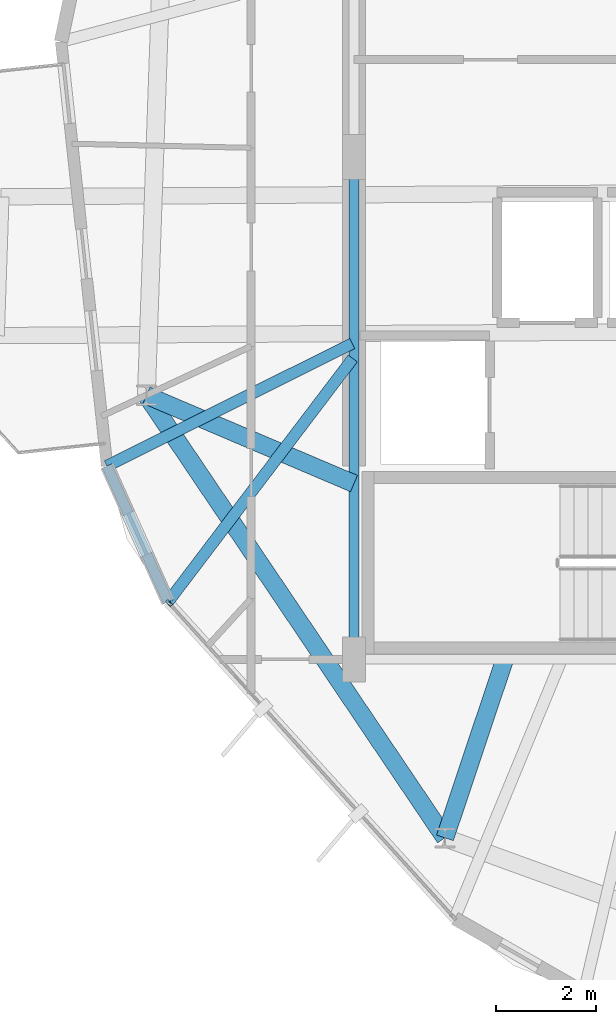
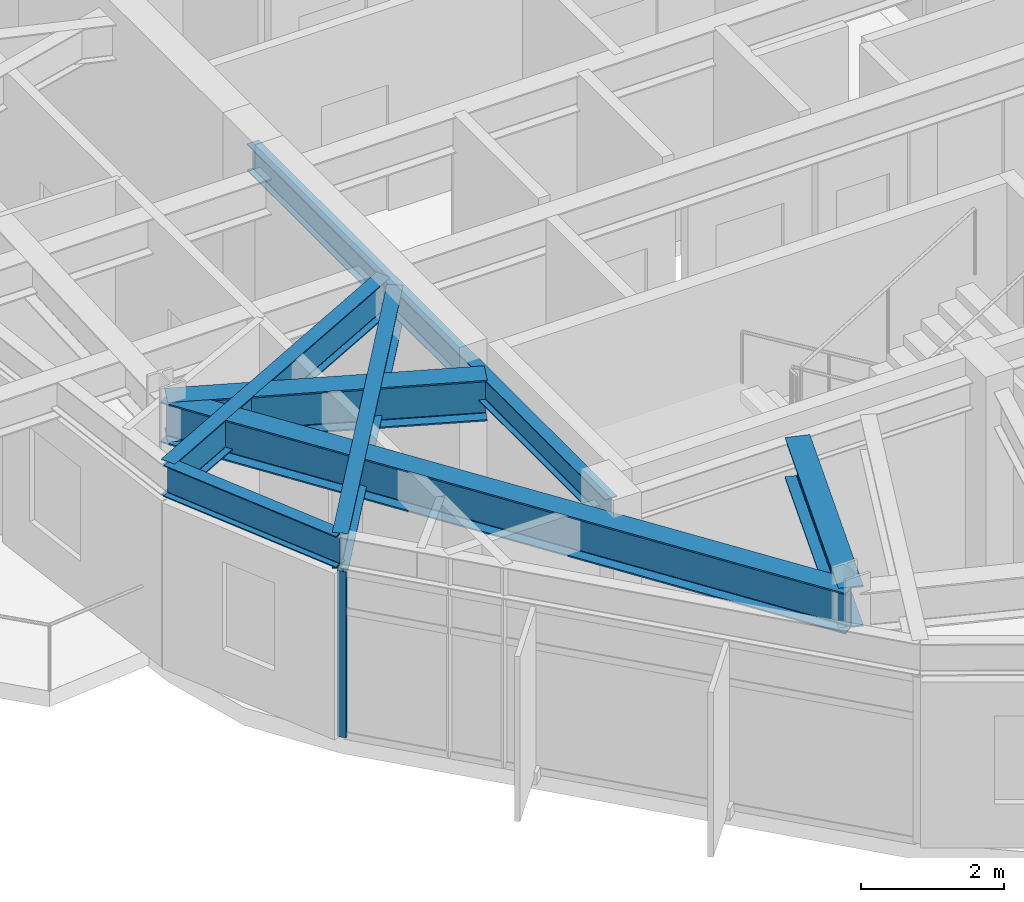
# One storey, part 3 of 23: 7 beams, 1 member, 1 element without a shape of its own.
"""IFC4 building model written with IfcOpenShell, lengths in metres."""

import ifcopenshell
import ifcopenshell.guid

model = None  # the IFC model being written
_history = None  # IfcOwnerHistory: only IFC2X3 demands one
_inside = {}  # id of a spatial element -> (the spatial element, [elements in it])
_under = {}  # id of a project, library or spatial element -> (it, [spatial elements below it])
_declared = {}  # id of a project -> (the project, [libraries it declares])
_typed = {}  # id of a type object -> (the type object, [elements of that type])
_made_of = {}  # id of a material, layer set ... -> (it, [elements and type objects made of it])


def new_model(schema):
    """Start an empty IFC model of exactly this schema.

    Asked for "IFC4X3", IfcOpenShell would pick the latest addendum, in which some entities
    have other attributes; the version numbers below select the first issue.
    IFC2X3 requires an IfcOwnerHistory on every rooted entity: one is made here for all.
    """
    global model, _history
    if schema == "IFC4X3":
        model = ifcopenshell.file(schema_version=(4, 3, 0, 0))
    else:
        model = ifcopenshell.file(schema=schema)
    _inside.clear()
    _under.clear()
    _declared.clear()
    _typed.clear()
    _made_of.clear()
    _history = None
    if model.schema == "IFC2X3":
        org = make("IfcOrganization", Name="unknown")
        user = make(
            "IfcPersonAndOrganization",
            ThePerson=make("IfcPerson", FamilyName="unknown"),
            TheOrganization=org,
        )
        app = make(
            "IfcApplication",
            ApplicationDeveloper=org,
            Version="unknown",
            ApplicationFullName="unknown",
            ApplicationIdentifier="unknown",
        )
        _history = make(
            "IfcOwnerHistory",
            OwningUser=user,
            OwningApplication=app,
            ChangeAction="ADDED",
            CreationDate=0,
        )
    return model


def make(cls, **values):
    """One entity of the class cls with the attributes given. An attribute that is None is left unset."""
    return model.create_entity(
        cls, **{name: value for name, value in values.items() if value is not None}
    )


def rooted(cls, **values):
    """An entity with a GlobalId (a new one), such as an element, a storey or a relation."""
    return make(cls, GlobalId=ifcopenshell.guid.new(), OwnerHistory=_history, **values)


def si_unit(unit_type, name, prefix=None):
    """IfcSIUnit, for example si_unit("LENGTHUNIT", "METRE", prefix="MILLI")."""
    return make("IfcSIUnit", UnitType=unit_type, Prefix=prefix, Name=name)


def assignment(units):
    """IfcUnitAssignment: the units of a project."""
    return None if units is None else make("IfcUnitAssignment", Units=units)


def point(xyz):
    """IfcCartesianPoint."""
    return None if xyz is None else make("IfcCartesianPoint", Coordinates=xyz)


def direction(xyz):
    """IfcDirection."""
    return None if xyz is None else make("IfcDirection", DirectionRatios=xyz)


def frame(location, z_axis=None, x_axis=None):
    """IfcAxis2Placement3D, a coordinate frame: its origin and axes. An axis left out is left unset."""
    return make(
        "IfcAxis2Placement3D",
        Location=point(location),
        Axis=direction(z_axis),
        RefDirection=direction(x_axis),
    )


def frame_2d(location, x_axis=None):
    """IfcAxis2Placement2D, a coordinate frame in the plane: its origin and x axis."""
    return make(
        "IfcAxis2Placement2D", Location=point(location), RefDirection=direction(x_axis)
    )


def origin():
    """The frame at (0, 0, 0) with its axes left unset."""
    return frame((0.0, 0.0, 0.0))


def origin_2d():
    """The frame at (0, 0) in the plane with its x axis left unset."""
    return frame_2d((0.0, 0.0))


def place(relative_to, where):
    """IfcLocalPlacement: puts the frame where relative to a parent placement (None: the world)."""
    return make(
        "IfcLocalPlacement", PlacementRelTo=relative_to, RelativePlacement=where
    )


def context(
    kind, dimensions, precision=None, world=None, true_north=None, identifier=None
):
    """IfcGeometricRepresentationContext, for example the 3D "Model" context."""
    return make(
        "IfcGeometricRepresentationContext",
        ContextIdentifier=identifier,
        ContextType=kind,
        CoordinateSpaceDimension=dimensions,
        Precision=precision,
        WorldCoordinateSystem=world,
        TrueNorth=true_north,
    )


def subcontext(parent, identifier, kind, view, scale=None):
    """IfcGeometricRepresentationSubContext, for example "Body" below "Model"."""
    return make(
        "IfcGeometricRepresentationSubContext",
        ContextIdentifier=identifier,
        ContextType=kind,
        ParentContext=parent,
        TargetScale=scale,
        TargetView=view,
    )


def project(units=None, contexts=None):
    """IfcProject with its units and contexts."""
    return rooted(
        "IfcProject",
        Name="project",
        RepresentationContexts=contexts,
        UnitsInContext=assignment(units),
    )


def spatial(cls, under=None, at=None, **own):
    """A site, building, storey or space (cls), placed at a placement, below another one or the project."""
    s = rooted(cls, ObjectPlacement=at, **own)
    if under is not None:
        _under.setdefault(under.id(), (under, []))[1].append(s)
    return s


def profile(cls, at=None, kind="AREA", **sizes):
    """A parametric profile (cls). Its sizes go by their IFC names, for example OverallWidth=200.0."""
    return make(cls, ProfileType=kind, Position=at, **sizes)


def hollow_rectangle(**sizes):
    """IfcRectangleHollowProfileDef."""
    return profile("IfcRectangleHollowProfileDef", **sizes)


def i_section(**sizes):
    """IfcIShapeProfileDef."""
    return profile("IfcIShapeProfileDef", **sizes)


def extrude(swept, where, along, depth):
    """IfcExtrudedAreaSolid: the profile swept, set in the frame where, extruded along a direction by depth."""
    return make(
        "IfcExtrudedAreaSolid",
        SweptArea=swept,
        Position=where,
        ExtrudedDirection=direction(along),
        Depth=depth,
    )


def shape(context_of_items, identifier, shape_type, items):
    """IfcShapeRepresentation: the items that make up one representation, for example the "Body"."""
    return make(
        "IfcShapeRepresentation",
        ContextOfItems=context_of_items,
        RepresentationIdentifier=identifier,
        RepresentationType=shape_type,
        Items=items,
    )


def material(Name=None, Category=None):
    """IfcMaterial."""
    return make("IfcMaterial", Name=Name, Category=Category)


def layer(
    of_material, thickness, ventilated=None, Name=None, Category=None, Priority=None
):
    """IfcMaterialLayer: one layer of a wall or slab, of a material (None: an air gap)."""
    return make(
        "IfcMaterialLayer",
        Material=of_material,
        LayerThickness=thickness,
        IsVentilated=ventilated,
        Name=Name,
        Category=Category,
        Priority=Priority,
    )


def layer_set(layers, Name=None):
    """IfcMaterialLayerSet."""
    return make("IfcMaterialLayerSet", MaterialLayers=layers, LayerSetName=Name)


def material_profile(
    of_material, cross_section, Name=None, Category=None, Priority=None
):
    """IfcMaterialProfile: a cross section and its material."""
    return make(
        "IfcMaterialProfile",
        Name=Name,
        Material=of_material,
        Profile=cross_section,
        Priority=Priority,
        Category=Category,
    )


def profile_set(profiles, Name=None, composite=None):
    """IfcMaterialProfileSet."""
    return make(
        "IfcMaterialProfileSet",
        Name=Name,
        MaterialProfiles=profiles,
        CompositeProfile=composite,
    )


def made_of(thing, what):
    """Note that an element or type object is made of a material, layer set ...; save() writes the relation."""
    if what is not None:
        _made_of.setdefault(what.id(), (what, []))[1].append(thing)
    return thing


def type_object(cls, material=None, **own):
    """A type object (cls), such as IfcWallType, which elements share."""
    return made_of(rooted(cls, **own), material)


def element(
    cls,
    number,
    at=None,
    inside=None,
    cuts=None,
    type_object=None,
    material=None,
    context=None,
    identifier="Body",
    shape_type=None,
    held_by="IfcProductDefinitionShape",
    body=None,
    shapes=None,
    **own,
):
    """One element of the class cls, such as IfcWall. Its Tag is "e" and its number.

    at: its placement. inside: the storey or other place that contains it. cuts: it is an
    opening in that element (IfcRelVoidsElement). A single representation is given by context,
    identifier, shape_type and body (its items); several are given by shapes. held_by: the class
    of the entity that holds the representations. save() writes the other relations.
    """
    e = rooted(cls, Tag="e%d" % number, ObjectPlacement=at, **own)
    if body is not None:
        shapes = [shape(context, identifier, shape_type, body)]
    if shapes is not None:
        e.Representation = make(held_by, Representations=shapes)
    if inside is not None:
        _inside.setdefault(inside.id(), (inside, []))[1].append(e)
    if cuts is not None:
        rooted(
            "IfcRelVoidsElement", RelatingBuildingElement=cuts, RelatedOpeningElement=e
        )
    if type_object is not None:
        _typed.setdefault(type_object.id(), (type_object, []))[1].append(e)
    return made_of(e, material)


def aggregate(whole, parts):
    """IfcRelAggregates: a whole, such as a stair, and the parts it consists of."""
    return rooted("IfcRelAggregates", RelatingObject=whole, RelatedObjects=parts)


def save(model, path):
    """Write the relations noted so far, then the file.

    IfcRelAggregates (storeys below a building ...), IfcRelContainedInSpatialStructure (elements
    in a storey), IfcRelDefinesByType, IfcRelAssociatesMaterial and IfcRelDeclares: one each for
    every whole, place, type object, material and project.
    """
    for whole, parts in _under.values():
        aggregate(whole, parts)
    for where, things in _inside.values():
        rooted(
            "IfcRelContainedInSpatialStructure",
            RelatedElements=things,
            RelatingStructure=where,
        )
    for kind, things in _typed.values():
        rooted("IfcRelDefinesByType", RelatedObjects=things, RelatingType=kind)
    for what, things in _made_of.values():
        rooted("IfcRelAssociatesMaterial", RelatedObjects=things, RelatingMaterial=what)
    for by, libraries in _declared.values():
        rooted("IfcRelDeclares", RelatingContext=by, RelatedDefinitions=libraries)
    model.write(path)


model = new_model("IFC4")

# Units and contexts
model_context = context("Model", 3, precision=1e-05, world=origin(), true_north=direction((0.0, 1.0)))
body_context = subcontext(model_context, "Body", "Model", "MODEL_VIEW")
ifc_project = project(units=[si_unit("LENGTHUNIT", "METRE"), si_unit("AREAUNIT", "SQUARE_METRE"), si_unit("VOLUMEUNIT", "CUBIC_METRE"), si_unit("PLANEANGLEUNIT", "RADIAN"), si_unit("MASSUNIT", "GRAM", prefix="KILO")], contexts=[model_context])

# Site, building, storey
site_placement = place(None, origin())
site = spatial("IfcSite", under=ifc_project, at=site_placement, CompositionType="ELEMENT")
building_placement = place(site_placement, origin())
building = spatial("IfcBuilding", under=site, at=building_placement, Name="Soratama Intermodal Tower", CompositionType="ELEMENT")
storey_placement = place(building_placement, frame((0.0, 0.0, 253.75)))
storey = spatial("IfcBuildingStorey", under=building, at=storey_placement, Name="L64", CompositionType="ELEMENT", Elevation=253.75)

# Beams
ifc_material_1 = material(Name="Structural steel ASTM A992 Grade 50", Category="steel")
ifc_material_profile_1 = material_profile(ifc_material_1, i_section(OverallWidth=0.19091796875, OverallDepth=0.4599609375, WebThickness=0.010009765625, FlangeThickness=0.01611328125, FilletRadius=0.010986328125, at=origin_2d()), Name="W18X55")
ifc_profile_set_1 = profile_set([ifc_material_profile_1], Name="Structural steel ASTM A992 Grade 50")
beam_type_1 = type_object("IfcBeamType", Name="BM-FLR-W18X55", PredefinedType="BEAM", material=ifc_profile_set_1)
beam_1_placement = place(storey_placement, frame((32.60009765625, 25.0, 3.219970703125), z_axis=(0.0, -1.0, 0.0), x_axis=(1.0, 0.0, 0.0)))
element("IfcBeam", 1, at=beam_1_placement, inside=storey, type_object=beam_type_1, Name="BM-L64-CRING-09", PredefinedType="BEAM", context=body_context, shape_type="SweptSolid", body=[
    extrude(i_section(OverallWidth=0.19091796875, OverallDepth=0.4599609375, WebThickness=0.010009765625, FlangeThickness=0.01611328125, FilletRadius=0.010986328125, at=origin_2d()), origin(), (0.0, 0.0, 1.0), 10.0),
])
ifc_material_2 = material(Name="Structural steel ASTM A992 Grade 50", Category="steel")
ifc_material_profile_2 = material_profile(ifc_material_2, i_section(OverallWidth=0.35498046875, OverallDepth=0.695068359375, WebThickness=0.015380859375, FlangeThickness=0.02490234375, FilletRadius=0.01611328125, at=origin_2d()), Name="W27X146")
ifc_profile_set_2 = profile_set([ifc_material_profile_2], Name="Structural steel ASTM A992 Grade 50")
beam_type_2 = type_object("IfcBeamType", Name="BM-RING-W27X146", PredefinedType="BEAM", material=ifc_profile_set_2)
beam_2_placement = place(storey_placement, frame((28.466064453125, 20.259033203125, 3.1025390625), z_axis=(0.559218025165, -0.829020627204, 0.0), x_axis=(0.829020627204, 0.559218025165, 0.0)))
element("IfcBeam", 2, at=beam_2_placement, inside=storey, type_object=beam_type_2, Name="BM-L64-RING-06", PredefinedType="BEAM", context=body_context, shape_type="SweptSolid", body=[
    extrude(i_section(OverallWidth=0.35498046875, OverallDepth=0.695068359375, WebThickness=0.015380859375, FlangeThickness=0.02490234375, FilletRadius=0.01611328125, at=origin_2d()), origin(), (0.0, 0.0, 1.0), 10.630615234375),
])
beam_3_placement = place(storey_placement, frame((32.60009765625, 18.5, 3.1025390625), z_axis=(-0.920165049547, 0.391530690485, 0.0), x_axis=(-0.391530690485, -0.920165049547, 0.0)))
element("IfcBeam", 3, at=beam_3_placement, inside=storey, type_object=beam_type_2, Name="BM-L64-RAD-06", PredefinedType="BEAM", context=body_context, shape_type="SweptSolid", body=[
    extrude(i_section(OverallWidth=0.35498046875, OverallDepth=0.695068359375, WebThickness=0.015380859375, FlangeThickness=0.02490234375, FilletRadius=0.01611328125, at=origin_2d()), origin(), (0.0, 0.0, 1.0), 4.49267578125),
])
beam_4_placement = place(storey_placement, frame((35.60009765625, 15.0, 3.1025390625), z_axis=(-0.317321993996, -0.948317853953, 0.0), x_axis=(0.948317853953, -0.317321993996, 0.0)))
element("IfcBeam", 4, at=beam_4_placement, inside=storey, type_object=beam_type_2, Name="BM-L64-RAD-07", PredefinedType="BEAM", context=body_context, shape_type="SweptSolid", body=[
    extrude(i_section(OverallWidth=0.35498046875, OverallDepth=0.695068359375, WebThickness=0.015380859375, FlangeThickness=0.02490234375, FilletRadius=0.01611328125, at=origin_2d()), origin(), (0.0, 0.0, 1.0), 3.74755859375),
])
ifc_material_3 = material(Name="Structural steel ASTM A992 Grade 50", Category="steel")
ifc_material_profile_3 = material_profile(ifc_material_3, i_section(OverallWidth=0.2099609375, OverallDepth=0.537109375, WebThickness=0.010986328125, FlangeThickness=0.017333984375, FilletRadius=0.012939453125, at=origin_2d()), Name="W21X68")
ifc_profile_set_3 = profile_set([ifc_material_profile_3], Name="Structural steel ASTM A992 Grade 50")
beam_type_3 = type_object("IfcBeamType", Name="BM-SPN-W21X68", PredefinedType="SPANDREL", material=ifc_profile_set_3)
beam_5_placement = place(storey_placement, frame((27.681884765625, 18.85009765625, 3.181396484375), z_axis=(0.409625349498, -0.912253842441, 0.0), x_axis=(0.912253842441, 0.409625349498, 0.0)))
element("IfcBeam", 5, at=beam_5_placement, inside=storey, type_object=beam_type_3, Name="BS-L64-CRN04", PredefinedType="SPANDREL", context=body_context, shape_type="SweptSolid", body=[
    extrude(i_section(OverallWidth=0.2099609375, OverallDepth=0.537109375, WebThickness=0.010986328125, FlangeThickness=0.017333984375, FilletRadius=0.012939453125, at=origin_2d()), origin(), (0.0, 0.0, 1.0), 2.96630859375),
])
ifc_material_4 = material(Name="Structural steel ASTM A992 Grade 50", Category="steel")
ifc_material_profile_4 = material_profile(ifc_material_4, i_section(OverallWidth=0.22900390625, OverallDepth=0.612060546875, WebThickness=0.011962890625, FlangeThickness=0.01953125, FilletRadius=0.012939453125, at=origin_2d()), Name="W24X84")
ifc_profile_set_4 = profile_set([ifc_material_profile_4], Name="Structural steel ASTM A992 Grade 50")
beam_type_4 = type_object("IfcBeamType", Name="BM-TIE-W24X84", PredefinedType="BEAM", material=ifc_profile_set_4)
beam_6_placement = place(storey_placement, frame((32.56396484375, 21.2900390625, 3.14404296875), z_axis=(-0.894507694273, -0.447052552711, 0.0), x_axis=(0.447052552711, -0.894507694273, 0.0)))
element("IfcBeam", 6, at=beam_6_placement, inside=storey, type_object=beam_type_4, Name="BM-L64-TIE1-04", PredefinedType="BEAM", context=body_context, shape_type="SweptSolid", body=[
    extrude(i_section(OverallWidth=0.22900390625, OverallDepth=0.612060546875, WebThickness=0.011962890625, FlangeThickness=0.01953125, FilletRadius=0.012939453125, at=origin_2d()), origin(), (0.0, 0.0, 1.0), 5.457763671875),
])
beam_7_placement = place(storey_placement, frame((32.575927734375, 20.991943359375, 3.14404296875), z_axis=(-0.604515542606, -0.79659334591, 0.0), x_axis=(0.79659334591, -0.604515542606, 0.0)))
element("IfcBeam", 7, at=beam_7_placement, inside=storey, type_object=beam_type_4, Name="BM-L64-TIE0-05", PredefinedType="BEAM", context=body_context, shape_type="SweptSolid", body=[
    extrude(i_section(OverallWidth=0.22900390625, OverallDepth=0.612060546875, WebThickness=0.011962890625, FlangeThickness=0.01953125, FilletRadius=0.012939453125, at=origin_2d()), origin(), (0.0, 0.0, 1.0), 6.085693359375),
])

# Curtain wall, member
ifc_material_5 = material(Name="Double-glazed aluminium curtain wall", Category="aluminium")
ifc_layer = layer(ifc_material_5, 0.159912109375)
ifc_layer_set = layer_set([ifc_layer], Name="Double-glazed aluminium curtain wall")
curtain_wall_type = type_object("IfcCurtainWallType", Name="CW-SYS-5", PredefinedType="NOTDEFINED", material=ifc_layer_set)
curtain_wall_placement = place(storey_placement, origin())
curtain_wall = element("IfcCurtainWall", 8, at=curtain_wall_placement, inside=storey, type_object=curtain_wall_type, Name="L64 Faceted Curtain Wall F05", PredefinedType="NOTDEFINED")
ifc_material_6 = material(Name="Anodised aluminium AA 6063-T6", Category="aluminium")
ifc_material_profile_5 = material_profile(ifc_material_6, hollow_rectangle(XDim=0.06494140625, YDim=0.139892578125, WallThickness=0.0048828125, InnerFilletRadius=0.0048828125, OuterFilletRadius=0.010009765625, at=origin_2d()), Name="CWM140X65X5")
ifc_profile_set_5 = profile_set([ifc_material_profile_5], Name="Anodised aluminium AA 6063-T6")
member_type = type_object("IfcMemberType", Name="MT-CWM-5", PredefinedType="MULLION", material=ifc_profile_set_5)
member_placement = place(storey_placement, frame((28.916748046875, 16.12158203125, 0.0), z_axis=(0.0, 0.0, 1.0), x_axis=(0.741039453057, 0.671461487364, 0.0)))
member = element("IfcMember", 9, at=member_placement, type_object=member_type, Name="CW-5 mullion 1", PredefinedType="MULLION", context=body_context, shape_type="SweptSolid", body=[
    extrude(hollow_rectangle(XDim=0.06494140625, YDim=0.139892578125, WallThickness=0.0048828125, InnerFilletRadius=0.0048828125, OuterFilletRadius=0.010009765625, at=origin_2d()), origin(), (0.0, 0.0, 1.0), 2.8291015625),
])
aggregate(curtain_wall, [member])

save(model, "model.ifc")
